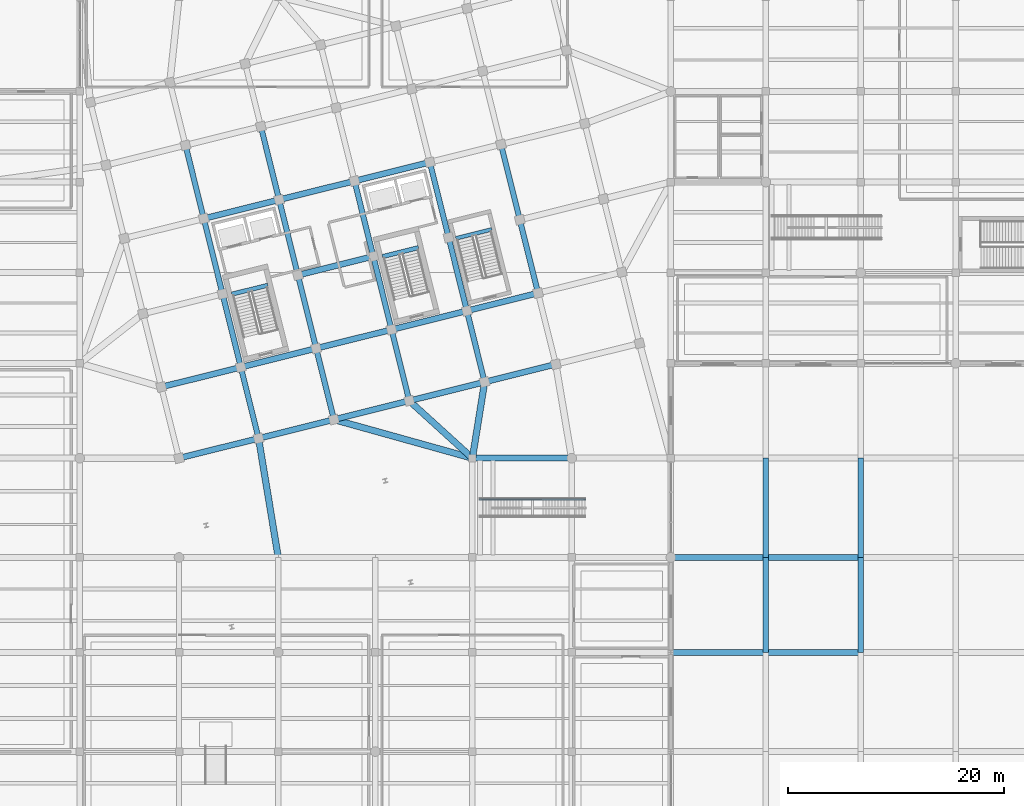
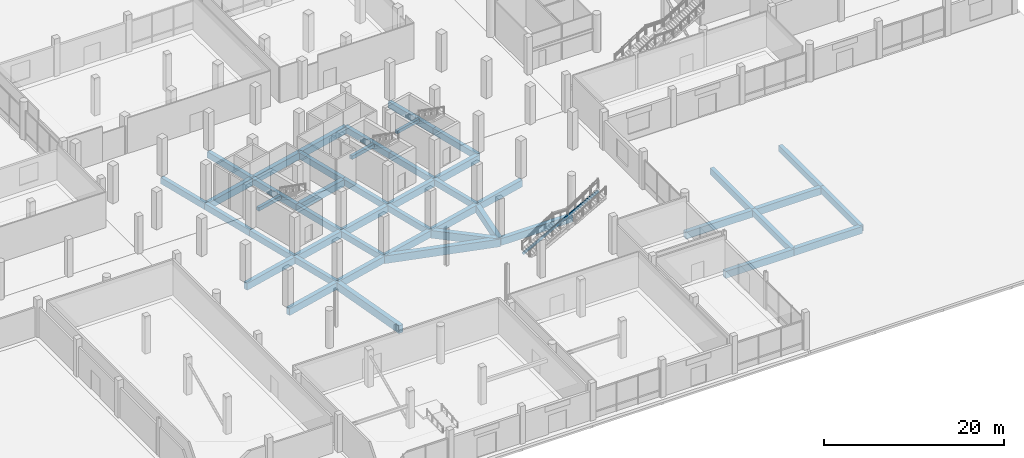
# One storey, part 18 of 73: 46 beams, 1 member.
"""IFC4 building model written with IfcOpenShell, lengths in metres."""

from ifc_helpers import new_model, si_unit, direction, frame, origin, origin_2d, place, context, subcontext, project, spatial, rectangle, extrude, material, material_profile, profile_set, type_object, element, save


model = new_model("IFC4")

# Units and contexts
model_context = context("Model", 3, precision=1e-05, world=origin(), true_north=direction((0.0, 1.0)))
body_context = subcontext(model_context, "Body", "Model", "MODEL_VIEW")
ifc_project = project(units=[si_unit("LENGTHUNIT", "METRE"), si_unit("AREAUNIT", "SQUARE_METRE"), si_unit("VOLUMEUNIT", "CUBIC_METRE"), si_unit("PLANEANGLEUNIT", "RADIAN"), si_unit("MASSUNIT", "GRAM", prefix="KILO")], contexts=[model_context])

# Site, building, storey
site_placement = place(None, origin())
site = spatial("IfcSite", under=ifc_project, at=site_placement, CompositionType="ELEMENT")
building_placement = place(site_placement, origin())
building = spatial("IfcBuilding", under=site, at=building_placement, Name="Meriwether Solvik Hall", CompositionType="ELEMENT")
storey_placement = place(building_placement, origin())
storey = spatial("IfcBuildingStorey", under=building, at=storey_placement, Name="L00", CompositionType="ELEMENT", Elevation=0.0)

# Beams
ifc_material_1 = material(Name="Concrete C40/50", Category="concrete")
ifc_material_profile_1 = material_profile(ifc_material_1, rectangle(XDim=0.35009765625, YDim=0.419921875, at=origin_2d()), Name="RCB-350X420")
ifc_profile_set_1 = profile_set([ifc_material_profile_1], Name="Concrete C40/50")
beam_type_1 = type_object("IfcBeamType", Name="BM-LND-RC-350X420", PredefinedType="BEAM", material=ifc_profile_set_1)
beam_1_placement = place(storey_placement, frame((94.260986328125, 61.58349609375, 2.139892578125), z_axis=(0.970292601873, 0.24193442655, 0.0), x_axis=(-0.24193442655, 0.970292601873, 0.0)))
element("IfcBeam", 1, at=beam_1_placement, inside=storey, type_object=beam_type_1, Name="Stair ST-03 Half-Landing Header Beam (L00)", PredefinedType="BEAM", context=body_context, shape_type="SweptSolid", body=[
    extrude(rectangle(XDim=0.35009765625, YDim=0.419921875, at=origin_2d()), origin(), (0.0, 0.0, 1.0), 3.440185546875),
])
ifc_material_2 = material(Name="Concrete C40/50", Category="concrete")
ifc_material_profile_2 = material_profile(ifc_material_2, rectangle(XDim=0.39990234375, YDim=0.47998046875, at=origin_2d()), Name="RCB-400X480")
ifc_profile_set_2 = profile_set([ifc_material_profile_2], Name="Concrete C40/50")
beam_type_2 = type_object("IfcBeamType", Name="BM-LND-RC-400X480", PredefinedType="BEAM", material=ifc_profile_set_2)
beam_2_placement = place(storey_placement, frame((73.496826171875, 56.40625, 2.110107421875), z_axis=(0.970288447449, 0.24195108751, 0.0), x_axis=(-0.24195108751, 0.970288447449, 0.0)))
element("IfcBeam", 2, at=beam_2_placement, inside=storey, type_object=beam_type_2, Name="Stair ST-01 Half-Landing Header Beam (L00)", PredefinedType="BEAM", context=body_context, shape_type="SweptSolid", body=[
    extrude(rectangle(XDim=0.39990234375, YDim=0.47998046875, at=origin_2d()), origin(), (0.0, 0.0, 1.0), 3.43994140625),
])
beam_3_placement = place(storey_placement, frame((87.468994140625, 59.889892578125, 2.110107421875), z_axis=(0.970292601873, 0.24193442655, 0.0), x_axis=(-0.24193442655, 0.970292601873, 0.0)))
element("IfcBeam", 3, at=beam_3_placement, inside=storey, type_object=beam_type_2, Name="Stair ST-02 Half-Landing Header Beam (L00)", PredefinedType="BEAM", context=body_context, shape_type="SweptSolid", body=[
    extrude(rectangle(XDim=0.39990234375, YDim=0.47998046875, at=origin_2d()), origin(), (0.0, 0.0, 1.0), 3.440185546875),
])
ifc_material_3 = material(Name="Concrete C40/50", Category="concrete")
ifc_material_profile_3 = material_profile(ifc_material_3, rectangle(XDim=0.5, YDim=0.85009765625, at=origin_2d()), Name="RCB-500X850")
ifc_profile_set_3 = profile_set([ifc_material_profile_3], Name="Concrete C40/50")
beam_type_3 = type_object("IfcBeamType", Name="BM-RC-500X850", PredefinedType="BEAM", material=ifc_profile_set_3)
beam_4_placement = place(storey_placement, frame((123.0, 23.199951171875, -0.784912109375), z_axis=(0.0, 1.0, 0.0), x_axis=(-1.0, 0.0, 0.0)))
element("IfcBeam", 4, at=beam_4_placement, inside=storey, type_object=beam_type_3, Name="Podium Girder 14:C-D (L00)", PredefinedType="BEAM", context=body_context, shape_type="SweptSolid", body=[
    extrude(rectangle(XDim=0.5, YDim=0.85009765625, at=origin_2d()), origin(), (0.0, 0.0, 1.0), 8.800048828125),
])
beam_5_placement = place(storey_placement, frame((123.0, 32.0, -0.784912109375), z_axis=(0.0, 1.0, 0.0), x_axis=(-1.0, 0.0, 0.0)))
element("IfcBeam", 5, at=beam_5_placement, inside=storey, type_object=beam_type_3, Name="Podium Girder 14:D-E (L00)", PredefinedType="BEAM", context=body_context, shape_type="SweptSolid", body=[
    extrude(rectangle(XDim=0.5, YDim=0.85009765625, at=origin_2d()), origin(), (0.0, 0.0, 1.0), 9.199951171875),
])
beam_6_placement = place(storey_placement, frame((131.800048828125, 23.199951171875, -0.784912109375), z_axis=(0.0, 1.0, 0.0), x_axis=(-1.0, 0.0, 0.0)))
element("IfcBeam", 6, at=beam_6_placement, inside=storey, type_object=beam_type_3, Name="Podium Girder 15:C-D (L00)", PredefinedType="BEAM", context=body_context, shape_type="SweptSolid", body=[
    extrude(rectangle(XDim=0.5, YDim=0.85009765625, at=origin_2d()), origin(), (0.0, 0.0, 1.0), 8.800048828125),
])
beam_7_placement = place(storey_placement, frame((131.800048828125, 32.0, -0.784912109375), z_axis=(0.0, 1.0, 0.0), x_axis=(-1.0, 0.0, 0.0)))
element("IfcBeam", 7, at=beam_7_placement, inside=storey, type_object=beam_type_3, Name="Podium Girder 15:D-E (L00)", PredefinedType="BEAM", context=body_context, shape_type="SweptSolid", body=[
    extrude(rectangle(XDim=0.5, YDim=0.85009765625, at=origin_2d()), origin(), (0.0, 0.0, 1.0), 9.199951171875),
])
beam_8_placement = place(storey_placement, frame((75.974365234375, 43.03857421875, -0.784912109375), z_axis=(-0.241944251278, 0.970290152106, 0.0), x_axis=(-0.970290152106, -0.241944251278, 0.0)))
element("IfcBeam", 8, at=beam_8_placement, inside=storey, type_object=beam_type_3, Name="Tower Girder T2:TA-TB (L00)", PredefinedType="BEAM", context=body_context, shape_type="SweptSolid", body=[
    extrude(rectangle(XDim=0.5, YDim=0.85009765625, at=origin_2d()), origin(), (0.0, 0.0, 1.0), 6.80029296875),
])
beam_9_placement = place(storey_placement, frame((74.3291015625, 49.63671875, -0.784912109375), z_axis=(-0.241911879182, 0.970298223594, 0.0), x_axis=(-0.970298223594, -0.241911879182, 0.0)))
element("IfcBeam", 9, at=beam_9_placement, inside=storey, type_object=beam_type_3, Name="Tower Girder T2:TB-TC (L00)", PredefinedType="BEAM", context=body_context, shape_type="SweptSolid", body=[
    extrude(rectangle(XDim=0.5, YDim=0.85009765625, at=origin_2d()), origin(), (0.0, 0.0, 1.0), 7.0),
])
beam_10_placement = place(storey_placement, frame((72.6357421875, 56.4287109375, -0.784912109375), z_axis=(-0.241937193493, 0.970291911955, 0.0), x_axis=(-0.970291911955, -0.241937193493, 0.0)))
element("IfcBeam", 10, at=beam_10_placement, inside=storey, type_object=beam_type_3, Name="Tower Girder T2:TC-TD (L00)", PredefinedType="BEAM", context=body_context, shape_type="SweptSolid", body=[
    extrude(rectangle(XDim=0.5, YDim=0.85009765625, at=origin_2d()), origin(), (0.0, 0.0, 1.0), 7.199951171875),
])
beam_11_placement = place(storey_placement, frame((70.893798828125, 63.414794921875, -0.784912109375), z_axis=(-0.241911879182, 0.970298223594, 0.0), x_axis=(-0.970298223594, -0.241911879182, 0.0)))
element("IfcBeam", 11, at=beam_11_placement, inside=storey, type_object=beam_type_3, Name="Tower Girder T2:TD-TE (L00)", PredefinedType="BEAM", context=body_context, shape_type="SweptSolid", body=[
    extrude(rectangle(XDim=0.5, YDim=0.85009765625, at=origin_2d()), origin(), (0.0, 0.0, 1.0), 7.0),
])
beam_12_placement = place(storey_placement, frame((82.96044921875, 44.780517578125, -0.784912109375), z_axis=(-0.241918877831, 0.970296478685, 0.0), x_axis=(-0.970296478685, -0.241918877831, 0.0)))
element("IfcBeam", 12, at=beam_12_placement, inside=storey, type_object=beam_type_3, Name="Tower Girder T3:TA-TB (L00)", PredefinedType="BEAM", context=body_context, shape_type="SweptSolid", body=[
    extrude(rectangle(XDim=0.5, YDim=0.85009765625, at=origin_2d()), origin(), (0.0, 0.0, 1.0), 6.7998046875),
])
beam_13_placement = place(storey_placement, frame((81.3154296875, 51.37841796875, -0.784912109375), z_axis=(-0.241944715397, 0.970290036376, 0.0), x_axis=(-0.970290036376, -0.241944715397, 0.0)))
element("IfcBeam", 13, at=beam_13_placement, inside=storey, type_object=beam_type_3, Name="Tower Girder T3:TB-TC (L00)", PredefinedType="BEAM", context=body_context, shape_type="SweptSolid", body=[
    extrude(rectangle(XDim=0.5, YDim=0.85009765625, at=origin_2d()), origin(), (0.0, 0.0, 1.0), 7.0),
])
beam_14_placement = place(storey_placement, frame((79.621826171875, 58.17041015625, -0.784912109375), z_axis=(-0.241897310542, 0.970301855688, 0.0), x_axis=(-0.970301855688, -0.241897310542, 0.0)))
element("IfcBeam", 14, at=beam_14_placement, inside=storey, type_object=beam_type_3, Name="Tower Girder T3:TC-TD (L00)", PredefinedType="BEAM", context=body_context, shape_type="SweptSolid", body=[
    extrude(rectangle(XDim=0.5, YDim=0.85009765625, at=origin_2d()), origin(), (0.0, 0.0, 1.0), 7.2001953125),
])
beam_15_placement = place(storey_placement, frame((77.880126953125, 65.15673828125, -0.784912109375), z_axis=(-0.241944715397, 0.970290036376, 0.0), x_axis=(-0.970290036376, -0.241944715397, 0.0)))
element("IfcBeam", 15, at=beam_15_placement, inside=storey, type_object=beam_type_3, Name="Tower Girder T3:TD-TE (L00)", PredefinedType="BEAM", context=body_context, shape_type="SweptSolid", body=[
    extrude(rectangle(XDim=0.5, YDim=0.85009765625, at=origin_2d()), origin(), (0.0, 0.0, 1.0), 7.0),
])
beam_16_placement = place(storey_placement, frame((89.946533203125, 46.522216796875, -0.784912109375), z_axis=(-0.24191045034, 0.970298579828, 0.0), x_axis=(-0.970298579828, -0.24191045034, 0.0)))
element("IfcBeam", 16, at=beam_16_placement, inside=storey, type_object=beam_type_3, Name="Tower Girder T4:TA-TB (L00)", PredefinedType="BEAM", context=body_context, shape_type="SweptSolid", body=[
    extrude(rectangle(XDim=0.5, YDim=0.85009765625, at=origin_2d()), origin(), (0.0, 0.0, 1.0), 6.800048828125),
])
beam_17_placement = place(storey_placement, frame((88.301513671875, 53.120361328125, -0.784912109375), z_axis=(-0.241944715397, 0.970290036376, 0.0), x_axis=(-0.970290036376, -0.241944715397, 0.0)))
element("IfcBeam", 17, at=beam_17_placement, inside=storey, type_object=beam_type_3, Name="Tower Girder T4:TB-TC (L00)", PredefinedType="BEAM", context=body_context, shape_type="SweptSolid", body=[
    extrude(rectangle(XDim=0.5, YDim=0.85009765625, at=origin_2d()), origin(), (0.0, 0.0, 1.0), 7.0),
])
beam_18_placement = place(storey_placement, frame((86.60791015625, 59.912353515625, -0.784912109375), z_axis=(-0.241905269381, 0.970299871507, 0.0), x_axis=(-0.970299871507, -0.241905269381, 0.0)))
element("IfcBeam", 18, at=beam_18_placement, inside=storey, type_object=beam_type_3, Name="Tower Girder T4:TC-TD (L00)", PredefinedType="BEAM", context=body_context, shape_type="SweptSolid", body=[
    extrude(rectangle(XDim=0.5, YDim=0.85009765625, at=origin_2d()), origin(), (0.0, 0.0, 1.0), 7.199951171875),
])
beam_19_placement = place(storey_placement, frame((96.9326171875, 48.26416015625, -0.784912109375), z_axis=(-0.241918877831, 0.970296478685, 0.0), x_axis=(-0.970296478685, -0.241918877831, 0.0)))
element("IfcBeam", 19, at=beam_19_placement, inside=storey, type_object=beam_type_3, Name="Tower Girder T5:TA-TB (L00)", PredefinedType="BEAM", context=body_context, shape_type="SweptSolid", body=[
    extrude(rectangle(XDim=0.5, YDim=0.85009765625, at=origin_2d()), origin(), (0.0, 0.0, 1.0), 6.7998046875),
])
beam_20_placement = place(storey_placement, frame((95.28759765625, 54.862060546875, -0.784912109375), z_axis=(-0.241936527961, 0.970292077901, 0.0), x_axis=(-0.970292077901, -0.241936527961, 0.0)))
element("IfcBeam", 20, at=beam_20_placement, inside=storey, type_object=beam_type_3, Name="Tower Girder T5:TB-TC (L00)", PredefinedType="BEAM", context=body_context, shape_type="SweptSolid", body=[
    extrude(rectangle(XDim=0.5, YDim=0.85009765625, at=origin_2d()), origin(), (0.0, 0.0, 1.0), 7.000244140625),
])
beam_21_placement = place(storey_placement, frame((93.593994140625, 61.654296875, -0.784912109375), z_axis=(-0.241905269381, 0.970299871507, 0.0), x_axis=(-0.970299871507, -0.241905269381, 0.0)))
element("IfcBeam", 21, at=beam_21_placement, inside=storey, type_object=beam_type_3, Name="Tower Girder T5:TC-TD (L00)", PredefinedType="BEAM", context=body_context, shape_type="SweptSolid", body=[
    extrude(rectangle(XDim=0.5, YDim=0.85009765625, at=origin_2d()), origin(), (0.0, 0.0, 1.0), 7.199951171875),
])
beam_22_placement = place(storey_placement, frame((101.885498046875, 56.507080078125, -0.784912109375), z_axis=(-0.241903692719, 0.970300264582, 0.0), x_axis=(-0.970300264582, -0.241903692719, 0.0)))
element("IfcBeam", 22, at=beam_22_placement, inside=storey, type_object=beam_type_3, Name="Tower Girder T6:TB-TC (L00)", PredefinedType="BEAM", context=body_context, shape_type="SweptSolid", body=[
    extrude(rectangle(XDim=0.5, YDim=0.85009765625, at=origin_2d()), origin(), (0.0, 0.0, 1.0), 7.000244140625),
])
beam_23_placement = place(storey_placement, frame((100.192138671875, 63.29931640625, -0.784912109375), z_axis=(-0.241937193493, 0.970291911955, 0.0), x_axis=(-0.970291911955, -0.241937193493, 0.0)))
element("IfcBeam", 23, at=beam_23_placement, inside=storey, type_object=beam_type_3, Name="Tower Girder T6:TC-TD (L00)", PredefinedType="BEAM", context=body_context, shape_type="SweptSolid", body=[
    extrude(rectangle(XDim=0.5, YDim=0.85009765625, at=origin_2d()), origin(), (0.0, 0.0, 1.0), 7.199951171875),
])
ifc_material_4 = material(Name="Concrete C40/50", Category="concrete")
ifc_material_profile_4 = material_profile(ifc_material_4, rectangle(XDim=0.550048828125, YDim=0.949951171875, at=origin_2d()), Name="RCB-550X950")
ifc_profile_set_4 = profile_set([ifc_material_profile_4], Name="Concrete C40/50")
beam_type_4 = type_object("IfcBeamType", Name="BM-RC-550X950", PredefinedType="BEAM", material=ifc_profile_set_4)
for number, where, z_axis, x_axis, name in (
    (24, (114.199951171875, 23.199951171875, -0.8349609375), (1.0, 0.0, 0.0), (0.0, 1.0, 0.0), "Podium Girder C:13-14 (L00)"),
    (25, (123.0, 23.199951171875, -0.8349609375), (1.0, 0.0, 0.0), (0.0, 1.0, 0.0), "Podium Girder C:14-15 (L00)"),
    (26, (114.199951171875, 32.0, -0.8349609375), (1.0, 0.0, 0.0), (0.0, 1.0, 0.0), "Podium Girder D:13-14 (L00)"),
    (27, (123.0, 32.0, -0.8349609375), (1.0, 0.0, 0.0), (0.0, 1.0, 0.0), "Podium Girder D:14-15 (L00)"),
):
    element("IfcBeam", number, at=place(storey_placement, frame(where, z_axis=z_axis, x_axis=x_axis)), inside=storey, type_object=beam_type_4, Name=name, PredefinedType="BEAM", context=body_context, shape_type="SweptSolid", body=[
        extrude(rectangle(XDim=0.550048828125, YDim=0.949951171875, at=origin_2d()), origin(), (0.0, 0.0, 1.0), 8.800048828125),
    ])
beam_24_placement = place(storey_placement, frame((95.800048828125, 41.199951171875, -0.8349609375), z_axis=(1.0, 0.0, 0.0), x_axis=(0.0, 1.0, 0.0)))
element("IfcBeam", 28, at=beam_24_placement, inside=storey, type_object=beam_type_4, Name="Podium Girder E:11-12 (L00)", PredefinedType="BEAM", context=body_context, shape_type="SweptSolid", body=[
    extrude(rectangle(XDim=0.550048828125, YDim=0.949951171875, at=origin_2d()), origin(), (0.0, 0.0, 1.0), 9.199951171875),
])
beam_25_placement = place(storey_placement, frame((68.60009765625, 41.199951171875, -0.8349609375), z_axis=(0.970295366785, 0.241923337436, 0.0), x_axis=(-0.241923337436, 0.970295366785, 0.0)))
element("IfcBeam", 29, at=beam_25_placement, inside=storey, type_object=beam_type_4, Name="Tower Girder TA:T1-T2 (L00)", PredefinedType="BEAM", context=body_context, shape_type="SweptSolid", body=[
    extrude(rectangle(XDim=0.550048828125, YDim=0.949951171875, at=origin_2d()), origin(), (0.0, 0.0, 1.0), 7.60009765625),
])
for number, where, z_axis, x_axis, name in (
    (30, (75.974365234375, 43.03857421875, -0.8349609375), (0.970291911955, 0.241937193493, 0.0), (-0.241937193493, 0.970291911955, 0.0), "Tower Girder TA:T2-T3 (L00)"),
    (31, (82.96044921875, 44.780517578125, -0.8349609375), (0.970299871507, 0.241905269381, 0.0), (-0.241905269381, 0.970299871507, 0.0), "Tower Girder TA:T3-T4 (L00)"),
    (32, (89.946533203125, 46.522216796875, -0.8349609375), (0.970291911955, 0.241937193493, 0.0), (-0.241937193493, 0.970291911955, 0.0), "Tower Girder TA:T4-T5 (L00)"),
):
    element("IfcBeam", number, at=place(storey_placement, frame(where, z_axis=z_axis, x_axis=x_axis)), inside=storey, type_object=beam_type_4, Name=name, PredefinedType="BEAM", context=body_context, shape_type="SweptSolid", body=[
        extrude(rectangle(XDim=0.550048828125, YDim=0.949951171875, at=origin_2d()), origin(), (0.0, 0.0, 1.0), 7.199951171875),
    ])
beam_26_placement = place(storey_placement, frame((96.9326171875, 48.26416015625, -0.8349609375), z_axis=(0.970298579828, 0.24191045034, 0.0), x_axis=(-0.24191045034, 0.970298579828, 0.0)))
element("IfcBeam", 33, at=beam_26_placement, inside=storey, type_object=beam_type_4, Name="Tower Girder TA:T5-T6 (L00)", PredefinedType="BEAM", context=body_context, shape_type="SweptSolid", body=[
    extrude(rectangle(XDim=0.550048828125, YDim=0.949951171875, at=origin_2d()), origin(), (0.0, 0.0, 1.0), 6.800048828125),
])
beam_27_placement = place(storey_placement, frame((66.954833984375, 47.798095703125, -0.8349609375), z_axis=(0.970295366785, 0.241923337436, 0.0), x_axis=(-0.241923337436, 0.970295366785, 0.0)))
element("IfcBeam", 34, at=beam_27_placement, inside=storey, type_object=beam_type_4, Name="Tower Girder TB:T1-T2 (L00)", PredefinedType="BEAM", context=body_context, shape_type="SweptSolid", body=[
    extrude(rectangle(XDim=0.550048828125, YDim=0.949951171875, at=origin_2d()), origin(), (0.0, 0.0, 1.0), 7.60009765625),
])
beam_28_placement = place(storey_placement, frame((74.3291015625, 49.63671875, -0.8349609375), z_axis=(0.970301855688, 0.241897310542, 0.0), x_axis=(-0.241897310542, 0.970301855688, 0.0)))
element("IfcBeam", 35, at=beam_28_placement, inside=storey, type_object=beam_type_4, Name="Tower Girder TB:T2-T3 (L00)", PredefinedType="BEAM", context=body_context, shape_type="SweptSolid", body=[
    extrude(rectangle(XDim=0.550048828125, YDim=0.949951171875, at=origin_2d()), origin(), (0.0, 0.0, 1.0), 7.2001953125),
])
for number, where, z_axis, x_axis, name in (
    (36, (81.3154296875, 51.37841796875, -0.8349609375), (0.970291911955, 0.241937193493, 0.0), (-0.241937193493, 0.970291911955, 0.0), "Tower Girder TB:T3-T4 (L00)"),
    (37, (88.301513671875, 53.120361328125, -0.8349609375), (0.970299871507, 0.241905269381, 0.0), (-0.241905269381, 0.970299871507, 0.0), "Tower Girder TB:T4-T5 (L00)"),
):
    element("IfcBeam", number, at=place(storey_placement, frame(where, z_axis=z_axis, x_axis=x_axis)), inside=storey, type_object=beam_type_4, Name=name, PredefinedType="BEAM", context=body_context, shape_type="SweptSolid", body=[
        extrude(rectangle(XDim=0.550048828125, YDim=0.949951171875, at=origin_2d()), origin(), (0.0, 0.0, 1.0), 7.199951171875),
    ])
beam_29_placement = place(storey_placement, frame((95.28759765625, 54.862060546875, -0.8349609375), z_axis=(0.970296478685, 0.241918877831, 0.0), x_axis=(-0.241918877831, 0.970296478685, 0.0)))
element("IfcBeam", 38, at=beam_29_placement, inside=storey, type_object=beam_type_4, Name="Tower Girder TB:T5-T6 (L00)", PredefinedType="BEAM", context=body_context, shape_type="SweptSolid", body=[
    extrude(rectangle(XDim=0.550048828125, YDim=0.949951171875, at=origin_2d()), origin(), (0.0, 0.0, 1.0), 6.7998046875),
])
beam_30_placement = place(storey_placement, frame((79.621826171875, 58.17041015625, -0.8349609375), z_axis=(0.970291911955, 0.241937193493, 0.0), x_axis=(-0.241937193493, 0.970291911955, 0.0)))
element("IfcBeam", 39, at=beam_30_placement, inside=storey, type_object=beam_type_4, Name="Tower Girder TC:T3-T4 (L00)", PredefinedType="BEAM", context=body_context, shape_type="SweptSolid", body=[
    extrude(rectangle(XDim=0.550048828125, YDim=0.949951171875, at=origin_2d()), origin(), (0.0, 0.0, 1.0), 7.199951171875),
])
beam_31_placement = place(storey_placement, frame((70.893798828125, 63.414794921875, -0.8349609375), z_axis=(0.970293896644, 0.241929233735, 0.0), x_axis=(-0.241929233735, 0.970293896644, 0.0)))
element("IfcBeam", 40, at=beam_31_placement, inside=storey, type_object=beam_type_4, Name="Tower Girder TD:T2-T3 (L00)", PredefinedType="BEAM", context=body_context, shape_type="SweptSolid", body=[
    extrude(rectangle(XDim=0.550048828125, YDim=0.949951171875, at=origin_2d()), origin(), (0.0, 0.0, 1.0), 7.2001953125),
])
for number, where, z_axis, x_axis, name in (
    (41, (77.880126953125, 65.15673828125, -0.8349609375), (0.970299871507, 0.241905269381, 0.0), (-0.241905269381, 0.970299871507, 0.0), "Tower Girder TD:T3-T4 (L00)"),
    (42, (84.8662109375, 66.8984375, -0.8349609375), (0.970291911955, 0.241937193493, 0.0), (-0.241937193493, 0.970291911955, 0.0), "Tower Girder TD:T4-T5 (L00)"),
):
    element("IfcBeam", number, at=place(storey_placement, frame(where, z_axis=z_axis, x_axis=x_axis)), inside=storey, type_object=beam_type_4, Name=name, PredefinedType="BEAM", context=body_context, shape_type="SweptSolid", body=[
        extrude(rectangle(XDim=0.550048828125, YDim=0.949951171875, at=origin_2d()), origin(), (0.0, 0.0, 1.0), 7.199951171875),
    ])
ifc_material_5 = material(Name="Concrete C40/50", Category="concrete")
ifc_material_profile_5 = material_profile(ifc_material_5, rectangle(XDim=0.60009765625, YDim=1.050048828125, at=origin_2d()), Name="RCB-600X1050")
ifc_profile_set_5 = profile_set([ifc_material_profile_5], Name="Concrete C40/50")
beam_type_5 = type_object("IfcBeamType", Name="BM-RC-600X1050", PredefinedType="BEAM", material=ifc_profile_set_5)
beam_32_placement = place(storey_placement, frame((75.974365234375, 43.03857421875, -0.885009765625), z_axis=(0.163174547332, -0.986597216245, 0.0), x_axis=(0.986597216245, 0.163174547332, 0.0)))
element("IfcBeam", 43, at=beam_32_placement, inside=storey, type_object=beam_type_5, Name="Diaphragm Collector Girder T2/TA-9/D (L00)", PredefinedType="BEAM", context=body_context, shape_type="SweptSolid", body=[
    extrude(rectangle(XDim=0.60009765625, YDim=1.050048828125, at=origin_2d()), origin(), (0.0, 0.0, 1.0), 11.1884765625),
])
beam_33_placement = place(storey_placement, frame((82.96044921875, 44.780517578125, -0.885009765625), z_axis=(0.963246352106, -0.268619554676, 0.0), x_axis=(0.268619554676, 0.963246352106, 0.0)))
element("IfcBeam", 44, at=beam_33_placement, inside=storey, type_object=beam_type_5, Name="Diaphragm Collector Girder T3/TA-11/E (L00)", PredefinedType="BEAM", context=body_context, shape_type="SweptSolid", body=[
    extrude(rectangle(XDim=0.60009765625, YDim=1.050048828125, at=origin_2d()), origin(), (0.0, 0.0, 1.0), 13.32958984375),
])
beam_34_placement = place(storey_placement, frame((89.946533203125, 46.522216796875, -0.885009765625), z_axis=(0.739884216785, -0.672734231144, 0.0), x_axis=(0.672734231144, 0.739884216785, 0.0)))
element("IfcBeam", 45, at=beam_34_placement, inside=storey, type_object=beam_type_5, Name="Diaphragm Collector Girder T4/TA-11/E (L00)", PredefinedType="BEAM", context=body_context, shape_type="SweptSolid", body=[
    extrude(rectangle(XDim=0.60009765625, YDim=1.050048828125, at=origin_2d()), origin(), (0.0, 0.0, 1.0), 7.911376953125),
])
beam_35_placement = place(storey_placement, frame((96.9326171875, 48.26416015625, -0.885009765625), z_axis=(-0.158303256143, -0.98739054031, 0.0), x_axis=(0.98739054031, -0.158303256143, 0.0)))
element("IfcBeam", 46, at=beam_35_placement, inside=storey, type_object=beam_type_5, Name="Diaphragm Collector Girder T5/TA-11/E (L00)", PredefinedType="BEAM", context=body_context, shape_type="SweptSolid", body=[
    extrude(rectangle(XDim=0.60009765625, YDim=1.050048828125, at=origin_2d()), origin(), (0.0, 0.0, 1.0), 7.154541015625),
])

# Member
ifc_material_6 = material(Name="Glulam Douglas-Fir 24F-V8 GL28h", Category="wood")
ifc_material_profile_6 = material_profile(ifc_material_6, rectangle(XDim=0.1298828125, YDim=0.3798828125, at=origin_2d()), Name="GLM-130X380")
ifc_profile_set_6 = profile_set([ifc_material_profile_6], Name="Glulam Douglas-Fir 24F-V8 GL28h")
member_type = type_object("IfcMemberType", Name="MEM-STR-GL130", PredefinedType="STRINGER", material=ifc_profile_set_6)
member_placement = place(storey_placement, frame((96.5, 37.3798828125, -0.47998046875), z_axis=(0.883658576783, 0.0, 0.468131946868), x_axis=(0.0, 1.0, 0.0)))
element("IfcMember", 47, at=member_placement, inside=storey, type_object=member_type, Name="Stair ST-AT1 Glulam Stringer R", PredefinedType="STRINGER", context=body_context, shape_type="SweptSolid", body=[
    extrude(rectangle(XDim=0.1298828125, YDim=0.3798828125, at=origin_2d()), origin(), (0.0, 0.0, 1.0), 11.0224609375),
])

save(model, "model.ifc")
